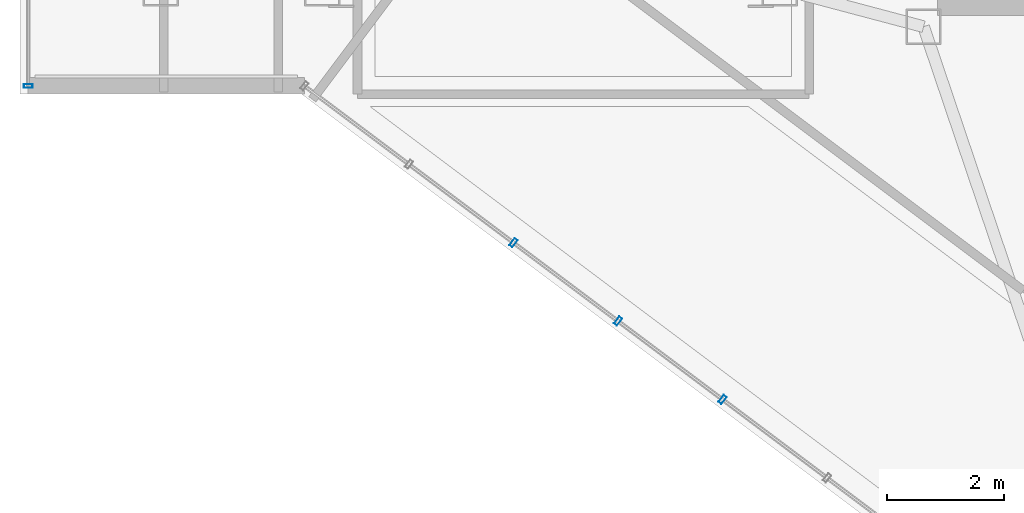
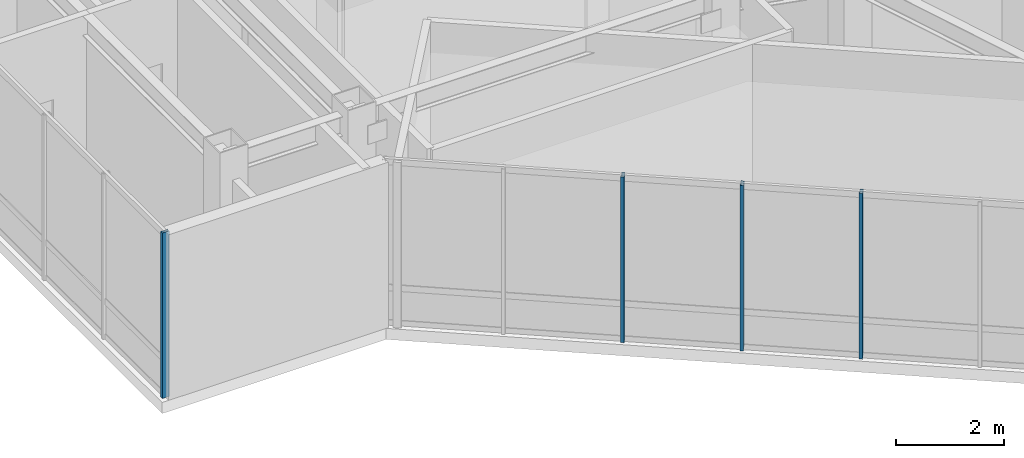
# One storey, part 4 of 30: 4 members, 2 elements without a shape of their own.
"""IFC4 building model written with IfcOpenShell, lengths in metres."""

from ifc_helpers import new_model, si_unit, direction, frame, origin, origin_2d, place, context, subcontext, project, spatial, hollow_rectangle, extrude, material, layer, layer_set, material_profile, profile_set, type_object, element, aggregate, save


model = new_model("IFC4")

# Units and contexts
model_context = context("Model", 3, precision=1e-05, world=origin(), true_north=direction((0.0, 1.0)))
body_context = subcontext(model_context, "Body", "Model", "MODEL_VIEW")
ifc_project = project(units=[si_unit("LENGTHUNIT", "METRE"), si_unit("AREAUNIT", "SQUARE_METRE"), si_unit("VOLUMEUNIT", "CUBIC_METRE"), si_unit("PLANEANGLEUNIT", "RADIAN"), si_unit("MASSUNIT", "GRAM", prefix="KILO")], contexts=[model_context])

# Site, building, storey
site_placement = place(None, origin())
site = spatial("IfcSite", under=ifc_project, at=site_placement, CompositionType="ELEMENT")
building_placement = place(site_placement, origin())
building = spatial("IfcBuilding", under=site, at=building_placement, Name="Hatsunagi Terrace Concourse", CompositionType="ELEMENT")
storey_placement = place(building_placement, frame((0.0, 0.0, 273.949951171875)))
storey = spatial("IfcBuildingStorey", under=building, at=storey_placement, Name="L72", CompositionType="ELEMENT", Elevation=273.949951171875)

# Curtain wall, members
ifc_material_1 = material(Name="Anodised Aluminium Alloy 6063-T5", Category="aluminium")
ifc_layer = layer(ifc_material_1, 0.199951171875)
ifc_layer_set = layer_set([ifc_layer], Name="CrownWintergarden_CW06")
curtain_wall_type = type_object("IfcCurtainWallType", Name="CrownWintergarden_CW06", PredefinedType="NOTDEFINED", material=ifc_layer_set)
curtain_wall_1_placement = place(storey_placement, origin())
curtain_wall_1 = element("IfcCurtainWall", 1, at=curtain_wall_1_placement, inside=storey, type_object=curtain_wall_type, Name="Unitised Curtain Wall CW-06 CW-L72-05", PredefinedType="NOTDEFINED")
ifc_material_2 = material(Name="Anodised Aluminium Alloy 6063-T5", Category="aluminium")
ifc_material_profile = material_profile(ifc_material_2, hollow_rectangle(XDim=0.06494140625, YDim=0.14990234375, WallThickness=0.00390625, at=origin_2d()), Name="ALU-MUL-150x65x4")
ifc_profile_set = profile_set([ifc_material_profile], Name="Anodised Aluminium Alloy 6063-T5")
member_type = type_object("IfcMemberType", Name="CurtainWallMullion_Crown_150x65", PredefinedType="MULLION", material=ifc_profile_set)
member_1_placement = place(storey_placement, frame((32.373046875, 18.195068359375, 0.0), z_axis=(0.0, 0.0, 1.0), x_axis=(-0.800007305671, 0.599990258982, 0.0)))
member_1 = element("IfcMember", 2, at=member_1_placement, type_object=member_type, Name="Curtain Wall Mullion MUL-03", PredefinedType="MULLION", context=body_context, shape_type="SweptSolid", body=[
    extrude(hollow_rectangle(XDim=0.06494140625, YDim=0.14990234375, WallThickness=0.00390625, at=origin_2d()), origin(), (0.0, 0.0, 1.0), 3.75),
])
member_2_placement = place(storey_placement, frame((30.592041015625, 19.531982421875, 0.0), z_axis=(0.0, 0.0, 1.0), x_axis=(-0.800007305671, 0.599990258982, 0.0)))
member_2 = element("IfcMember", 3, at=member_2_placement, type_object=member_type, Name="Curtain Wall Mullion MUL-03", PredefinedType="MULLION", context=body_context, shape_type="SweptSolid", body=[
    extrude(hollow_rectangle(XDim=0.06494140625, YDim=0.14990234375, WallThickness=0.00390625, at=origin_2d()), origin(), (0.0, 0.0, 1.0), 3.75),
])
member_3_placement = place(storey_placement, frame((28.81005859375, 20.867919921875, 0.0), z_axis=(0.0, 0.0, 1.0), x_axis=(-0.800007305671, 0.599990258982, 0.0)))
member_3 = element("IfcMember", 4, at=member_3_placement, type_object=member_type, Name="Curtain Wall Mullion MUL-03", PredefinedType="MULLION", context=body_context, shape_type="SweptSolid", body=[
    extrude(hollow_rectangle(XDim=0.06494140625, YDim=0.14990234375, WallThickness=0.00390625, at=origin_2d()), origin(), (0.0, 0.0, 1.0), 3.75),
])
aggregate(curtain_wall_1, [member_1, member_2, member_3])

# Curtain wall, member
curtain_wall_2_placement = place(storey_placement, origin())
curtain_wall_2 = element("IfcCurtainWall", 5, at=curtain_wall_2_placement, inside=storey, type_object=curtain_wall_type, Name="Unitised Curtain Wall CW-06 CW-L72-07", PredefinedType="NOTDEFINED")
member_4_placement = place(storey_placement, frame((20.5400390625, 23.5400390625, 0.0), z_axis=(0.0, 0.0, 1.0), x_axis=(0.0, 1.0, 0.0)))
member_4 = element("IfcMember", 6, at=member_4_placement, type_object=member_type, Name="Curtain Wall Mullion MUL-03", PredefinedType="MULLION", context=body_context, shape_type="SweptSolid", body=[
    extrude(hollow_rectangle(XDim=0.06494140625, YDim=0.14990234375, WallThickness=0.00390625, at=origin_2d()), origin(), (0.0, 0.0, 1.0), 3.75),
])
aggregate(curtain_wall_2, [member_4])

save(model, "model.ifc")
